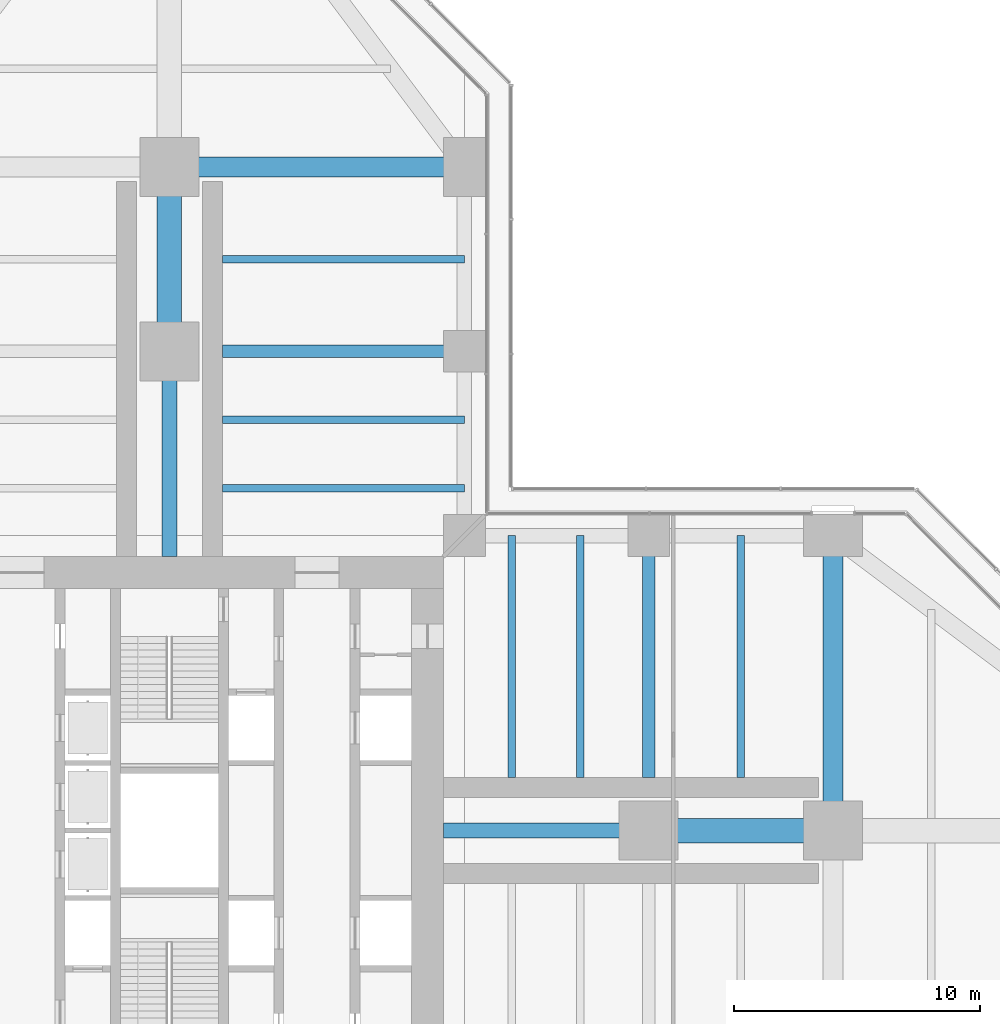
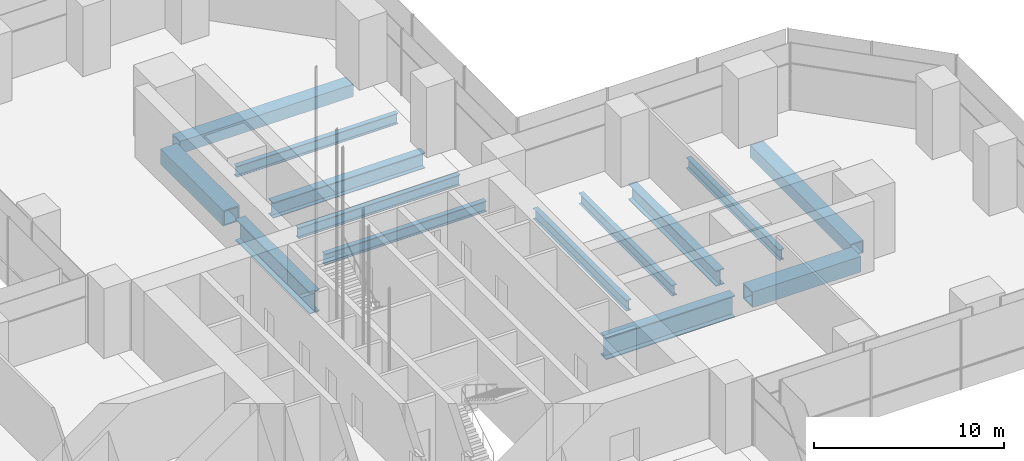
# One storey, part 9 of 27: 14 beams.
"""IFC4 building model written with IfcOpenShell, lengths in metres."""

from ifc_helpers import new_model, si_unit, direction, frame, origin, origin_2d, place, context, subcontext, project, spatial, hollow_rectangle, i_section, extrude, material, material_profile, profile_set, type_object, element, save


model = new_model("IFC4")

# Units and contexts
model_context = context("Model", 3, precision=1e-05, world=origin(), true_north=direction((0.0, 1.0)))
body_context = subcontext(model_context, "Body", "Model", "MODEL_VIEW")
ifc_project = project(units=[si_unit("LENGTHUNIT", "METRE"), si_unit("AREAUNIT", "SQUARE_METRE"), si_unit("VOLUMEUNIT", "CUBIC_METRE"), si_unit("PLANEANGLEUNIT", "RADIAN"), si_unit("MASSUNIT", "GRAM", prefix="KILO")], contexts=[model_context])

# Site, building, storey
site_placement = place(None, origin())
site = spatial("IfcSite", under=ifc_project, at=site_placement, CompositionType="ELEMENT")
building_placement = place(site_placement, origin())
building = spatial("IfcBuilding", under=site, at=building_placement, Name="Mizan Broadcast Tower", CompositionType="ELEMENT")
storey_placement = place(building_placement, frame((0.0, 0.0, 113.699951171875)))
storey = spatial("IfcBuildingStorey", under=building, at=storey_placement, Name="L25", CompositionType="ELEMENT", Elevation=113.699951171875)

# Beams
ifc_material_1 = material(Name="Steel S460", Category="steel")
ifc_material_profile_1 = material_profile(ifc_material_1, hollow_rectangle(XDim=1.0, YDim=1.0, WallThickness=0.080078125, at=origin_2d()), Name="BOX 1000x1000x80")
ifc_profile_set_1 = profile_set([ifc_material_profile_1], Name="Steel S460")
beam_type_1 = type_object("IfcBeamType", Name="GIRDER BOX 1000x1000x80", PredefinedType="BEAM", material=ifc_profile_set_1)
for number, where, z_axis, x_axis, name in (
    (1, (19.949951171875, 0.0, -0.6298828125), (1.0, 0.0, 0.0), (0.0, 1.0, 0.0), "Girder BOX 1000x1000x80 L25 east arm"),
    (2, (0.0, 19.949951171875, -0.6298828125), (0.0, 1.0, 0.0), (-1.0, 0.0, 0.0), "Girder BOX 1000x1000x80 L25 north arm"),
):
    element("IfcBeam", number, at=place(storey_placement, frame(where, z_axis=z_axis, x_axis=x_axis)), inside=storey, type_object=beam_type_1, Name=name, PredefinedType="BEAM", context=body_context, shape_type="SweptSolid", body=[
        extrude(hollow_rectangle(XDim=1.0, YDim=1.0, WallThickness=0.080078125, at=origin_2d()), origin(), (0.0, 0.0, 1.0), 6.60009765625),
    ])
ifc_material_2 = material(Name="Steel S460", Category="steel")
ifc_material_profile_2 = material_profile(ifc_material_2, hollow_rectangle(XDim=0.800048828125, YDim=0.800048828125, WallThickness=0.050048828125, at=origin_2d()), Name="BOX 800x800x50")
ifc_profile_set_2 = profile_set([ifc_material_profile_2], Name="Steel S460")
beam_type_2 = type_object("IfcBeamType", Name="GIRDER BOX 800x800x50", PredefinedType="BEAM", material=ifc_profile_set_2)
for number, where, z_axis, x_axis, name in (
    (3, (27.0, 11.280029296875, -0.530029296875), (0.0, -1.0, 0.0), (1.0, 0.0, 0.0), "Girder BOX 800x800x50 L25 east arm"),
    (4, (11.280029296875, 27.0, -0.530029296875), (-1.0, 0.0, 0.0), (0.0, -1.0, 0.0), "Girder BOX 800x800x50 L25 north arm"),
):
    element("IfcBeam", number, at=place(storey_placement, frame(where, z_axis=z_axis, x_axis=x_axis)), inside=storey, type_object=beam_type_2, Name=name, PredefinedType="BEAM", context=body_context, shape_type="SweptSolid", body=[
        extrude(hollow_rectangle(XDim=0.800048828125, YDim=0.800048828125, WallThickness=0.050048828125, at=origin_2d()), origin(), (0.0, 0.0, 1.0), 10.56005859375),
    ])
ifc_material_3 = material(Name="Steel S460", Category="steel")
ifc_material_profile_3 = material_profile(ifc_material_3, i_section(OverallWidth=0.5, OverallDepth=1.0, WebThickness=0.02490234375, FlangeThickness=0.050048828125, at=origin_2d()), Name="WPG 1000x500")
ifc_profile_set_3 = profile_set([ifc_material_profile_3], Name="Steel S460")
beam_type_3 = type_object("IfcBeamType", Name="GIRDER WPG 1000x500", PredefinedType="BEAM", material=ifc_profile_set_3)
for number, where, z_axis, x_axis, name in (
    (5, (19.5, 11.408935546875, -0.6298828125), (0.0, -1.0, 0.0), (1.0, 0.0, 0.0), "Girder WPG 1000x500 L25 east arm"),
    (6, (11.408935546875, 19.5, -0.6298828125), (-1.0, 0.0, 0.0), (0.0, -1.0, 0.0), "Girder WPG 1000x500 L25 north arm"),
):
    element("IfcBeam", number, at=place(storey_placement, frame(where, z_axis=z_axis, x_axis=x_axis)), inside=storey, type_object=beam_type_3, Name=name, PredefinedType="BEAM", context=body_context, shape_type="SweptSolid", body=[
        extrude(i_section(OverallWidth=0.5, OverallDepth=1.0, WebThickness=0.02490234375, FlangeThickness=0.050048828125, at=origin_2d()), origin(), (0.0, 0.0, 1.0), 9.259033203125),
    ])
ifc_material_4 = material(Name="Steel S460", Category="steel")
ifc_material_profile_4 = material_profile(ifc_material_4, i_section(OverallWidth=0.60009765625, OverallDepth=1.39990234375, WebThickness=0.02490234375, FlangeThickness=0.06005859375, at=origin_2d()), Name="WPG 1400x600")
ifc_profile_set_4 = profile_set([ifc_material_profile_4], Name="Steel S460")
beam_type_4 = type_object("IfcBeamType", Name="GIRDER WPG 1400x600", PredefinedType="BEAM", material=ifc_profile_set_4)
for number, where, z_axis, x_axis, name in (
    (7, (11.14990234375, 0.0, -0.829833984375), (1.0, 0.0, 0.0), (0.0, 1.0, 0.0), "Girder WPG 1400x600 L25 east arm"),
    (8, (0.0, 11.14990234375, -0.829833984375), (0.0, 1.0, 0.0), (-1.0, 0.0, 0.0), "Girder WPG 1400x600 L25 north arm"),
):
    element("IfcBeam", number, at=place(storey_placement, frame(where, z_axis=z_axis, x_axis=x_axis)), inside=storey, type_object=beam_type_4, Name=name, PredefinedType="BEAM", context=body_context, shape_type="SweptSolid", body=[
        extrude(i_section(OverallWidth=0.60009765625, OverallDepth=1.39990234375, WebThickness=0.02490234375, FlangeThickness=0.06005859375, at=origin_2d()), origin(), (0.0, 0.0, 1.0), 7.84912109375),
    ])
ifc_material_5 = material(Name="Steel S355", Category="steel")
ifc_material_profile_5 = material_profile(ifc_material_5, i_section(OverallWidth=0.300048828125, OverallDepth=0.68994140625, WebThickness=0.014404296875, FlangeThickness=0.027099609375, FilletRadius=0.027099609375, at=origin_2d()), Name="HEA 700")
ifc_profile_set_5 = profile_set([ifc_material_profile_5], Name="Steel S355")
beam_type_5 = type_object("IfcBeamType", Name="SECONDARY BEAM HEA 700", PredefinedType="JOIST", material=ifc_profile_set_5)
for number, where, z_axis, x_axis, name in (
    (9, (13.933349609375, 12.0, -0.474853515625), (0.0, -1.0, 0.0), (1.0, 0.0, 0.0), "Secondary beam HEA 700 L25 east arm"),
    (10, (16.716552734375, 12.0, -0.474853515625), (0.0, -1.0, 0.0), (1.0, 0.0, 0.0), "Secondary beam HEA 700 L25 east arm"),
    (11, (23.25, 12.0, -0.474853515625), (0.0, -1.0, 0.0), (1.0, 0.0, 0.0), "Secondary beam HEA 700 L25 east arm"),
    (12, (12.0, 13.933349609375, -0.474853515625), (-1.0, 0.0, 0.0), (0.0, -1.0, 0.0), "Secondary beam HEA 700 L25 north arm"),
    (13, (12.0, 16.716552734375, -0.474853515625), (-1.0, 0.0, 0.0), (0.0, -1.0, 0.0), "Secondary beam HEA 700 L25 north arm"),
    (14, (12.0, 23.25, -0.474853515625), (-1.0, 0.0, 0.0), (0.0, -1.0, 0.0), "Secondary beam HEA 700 L25 north arm"),
):
    element("IfcBeam", number, at=place(storey_placement, frame(where, z_axis=z_axis, x_axis=x_axis)), inside=storey, type_object=beam_type_5, Name=name, PredefinedType="JOIST", context=body_context, shape_type="SweptSolid", body=[
        extrude(i_section(OverallWidth=0.300048828125, OverallDepth=0.68994140625, WebThickness=0.014404296875, FlangeThickness=0.027099609375, FilletRadius=0.027099609375, at=origin_2d()), origin(), (0.0, 0.0, 1.0), 9.85009765625),
    ])

save(model, "model.ifc")
